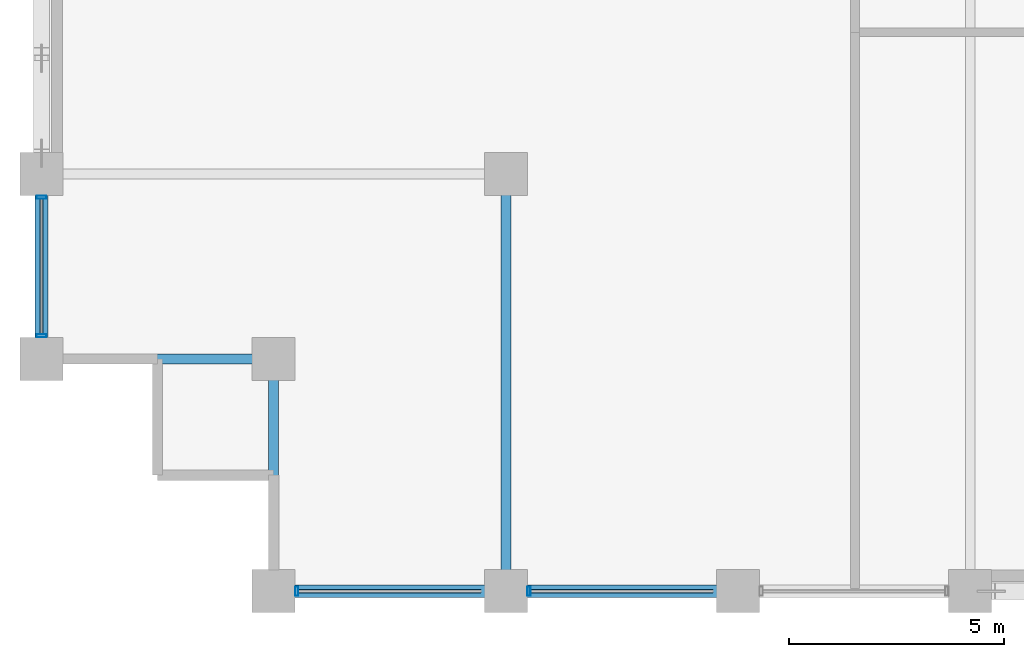
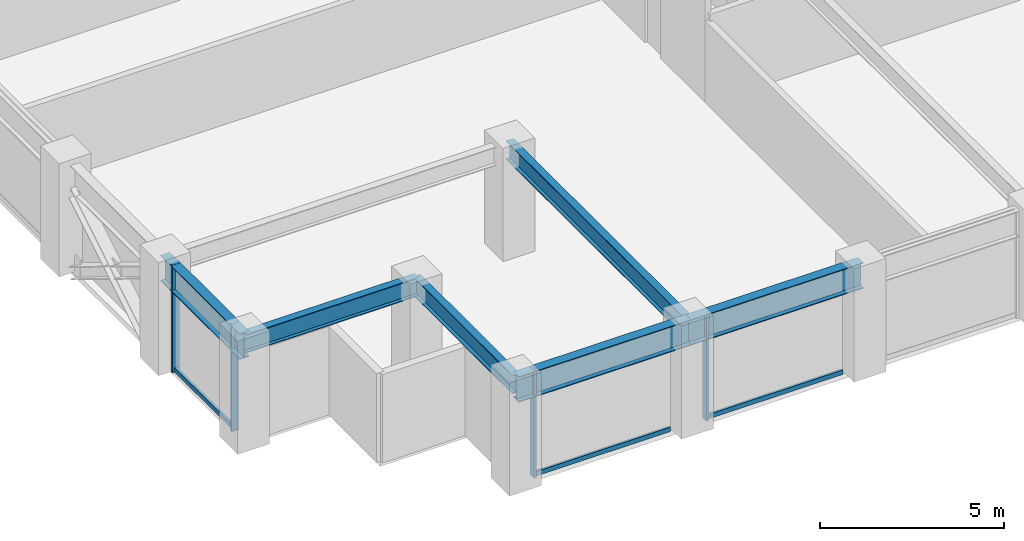
# One storey, part 2 of 23: 7 members, 6 beams, 2 elements without a shape of their own.
"""IFC4 building model written with IfcOpenShell, lengths in metres."""

import ifcopenshell
import ifcopenshell.guid

model = None  # the IFC model being written
_history = None  # IfcOwnerHistory: only IFC2X3 demands one
_inside = {}  # id of a spatial element -> (the spatial element, [elements in it])
_under = {}  # id of a project, library or spatial element -> (it, [spatial elements below it])
_declared = {}  # id of a project -> (the project, [libraries it declares])
_typed = {}  # id of a type object -> (the type object, [elements of that type])
_made_of = {}  # id of a material, layer set ... -> (it, [elements and type objects made of it])


def new_model(schema):
    """Start an empty IFC model of exactly this schema.

    Asked for "IFC4X3", IfcOpenShell would pick the latest addendum, in which some entities
    have other attributes; the version numbers below select the first issue.
    IFC2X3 requires an IfcOwnerHistory on every rooted entity: one is made here for all.
    """
    global model, _history
    if schema == "IFC4X3":
        model = ifcopenshell.file(schema_version=(4, 3, 0, 0))
    else:
        model = ifcopenshell.file(schema=schema)
    _inside.clear()
    _under.clear()
    _declared.clear()
    _typed.clear()
    _made_of.clear()
    _history = None
    if model.schema == "IFC2X3":
        org = make("IfcOrganization", Name="unknown")
        user = make(
            "IfcPersonAndOrganization",
            ThePerson=make("IfcPerson", FamilyName="unknown"),
            TheOrganization=org,
        )
        app = make(
            "IfcApplication",
            ApplicationDeveloper=org,
            Version="unknown",
            ApplicationFullName="unknown",
            ApplicationIdentifier="unknown",
        )
        _history = make(
            "IfcOwnerHistory",
            OwningUser=user,
            OwningApplication=app,
            ChangeAction="ADDED",
            CreationDate=0,
        )
    return model


def make(cls, **values):
    """One entity of the class cls with the attributes given. An attribute that is None is left unset."""
    return model.create_entity(
        cls, **{name: value for name, value in values.items() if value is not None}
    )


def rooted(cls, **values):
    """An entity with a GlobalId (a new one), such as an element, a storey or a relation."""
    return make(cls, GlobalId=ifcopenshell.guid.new(), OwnerHistory=_history, **values)


def si_unit(unit_type, name, prefix=None):
    """IfcSIUnit, for example si_unit("LENGTHUNIT", "METRE", prefix="MILLI")."""
    return make("IfcSIUnit", UnitType=unit_type, Prefix=prefix, Name=name)


def assignment(units):
    """IfcUnitAssignment: the units of a project."""
    return None if units is None else make("IfcUnitAssignment", Units=units)


def point(xyz):
    """IfcCartesianPoint."""
    return None if xyz is None else make("IfcCartesianPoint", Coordinates=xyz)


def direction(xyz):
    """IfcDirection."""
    return None if xyz is None else make("IfcDirection", DirectionRatios=xyz)


def frame(location, z_axis=None, x_axis=None):
    """IfcAxis2Placement3D, a coordinate frame: its origin and axes. An axis left out is left unset."""
    return make(
        "IfcAxis2Placement3D",
        Location=point(location),
        Axis=direction(z_axis),
        RefDirection=direction(x_axis),
    )


def frame_2d(location, x_axis=None):
    """IfcAxis2Placement2D, a coordinate frame in the plane: its origin and x axis."""
    return make(
        "IfcAxis2Placement2D", Location=point(location), RefDirection=direction(x_axis)
    )


def origin():
    """The frame at (0, 0, 0) with its axes left unset."""
    return frame((0.0, 0.0, 0.0))


def origin_2d():
    """The frame at (0, 0) in the plane with its x axis left unset."""
    return frame_2d((0.0, 0.0))


def place(relative_to, where):
    """IfcLocalPlacement: puts the frame where relative to a parent placement (None: the world)."""
    return make(
        "IfcLocalPlacement", PlacementRelTo=relative_to, RelativePlacement=where
    )


def context(
    kind, dimensions, precision=None, world=None, true_north=None, identifier=None
):
    """IfcGeometricRepresentationContext, for example the 3D "Model" context."""
    return make(
        "IfcGeometricRepresentationContext",
        ContextIdentifier=identifier,
        ContextType=kind,
        CoordinateSpaceDimension=dimensions,
        Precision=precision,
        WorldCoordinateSystem=world,
        TrueNorth=true_north,
    )


def subcontext(parent, identifier, kind, view, scale=None):
    """IfcGeometricRepresentationSubContext, for example "Body" below "Model"."""
    return make(
        "IfcGeometricRepresentationSubContext",
        ContextIdentifier=identifier,
        ContextType=kind,
        ParentContext=parent,
        TargetScale=scale,
        TargetView=view,
    )


def project(units=None, contexts=None):
    """IfcProject with its units and contexts."""
    return rooted(
        "IfcProject",
        Name="project",
        RepresentationContexts=contexts,
        UnitsInContext=assignment(units),
    )


def spatial(cls, under=None, at=None, **own):
    """A site, building, storey or space (cls), placed at a placement, below another one or the project."""
    s = rooted(cls, ObjectPlacement=at, **own)
    if under is not None:
        _under.setdefault(under.id(), (under, []))[1].append(s)
    return s


def profile(cls, at=None, kind="AREA", **sizes):
    """A parametric profile (cls). Its sizes go by their IFC names, for example OverallWidth=200.0."""
    return make(cls, ProfileType=kind, Position=at, **sizes)


def hollow_rectangle(**sizes):
    """IfcRectangleHollowProfileDef."""
    return profile("IfcRectangleHollowProfileDef", **sizes)


def i_section(**sizes):
    """IfcIShapeProfileDef."""
    return profile("IfcIShapeProfileDef", **sizes)


def extrude(swept, where, along, depth):
    """IfcExtrudedAreaSolid: the profile swept, set in the frame where, extruded along a direction by depth."""
    return make(
        "IfcExtrudedAreaSolid",
        SweptArea=swept,
        Position=where,
        ExtrudedDirection=direction(along),
        Depth=depth,
    )


def shape(context_of_items, identifier, shape_type, items):
    """IfcShapeRepresentation: the items that make up one representation, for example the "Body"."""
    return make(
        "IfcShapeRepresentation",
        ContextOfItems=context_of_items,
        RepresentationIdentifier=identifier,
        RepresentationType=shape_type,
        Items=items,
    )


def material(Name=None, Category=None):
    """IfcMaterial."""
    return make("IfcMaterial", Name=Name, Category=Category)


def layer(
    of_material, thickness, ventilated=None, Name=None, Category=None, Priority=None
):
    """IfcMaterialLayer: one layer of a wall or slab, of a material (None: an air gap)."""
    return make(
        "IfcMaterialLayer",
        Material=of_material,
        LayerThickness=thickness,
        IsVentilated=ventilated,
        Name=Name,
        Category=Category,
        Priority=Priority,
    )


def layer_set(layers, Name=None):
    """IfcMaterialLayerSet."""
    return make("IfcMaterialLayerSet", MaterialLayers=layers, LayerSetName=Name)


def material_profile(
    of_material, cross_section, Name=None, Category=None, Priority=None
):
    """IfcMaterialProfile: a cross section and its material."""
    return make(
        "IfcMaterialProfile",
        Name=Name,
        Material=of_material,
        Profile=cross_section,
        Priority=Priority,
        Category=Category,
    )


def profile_set(profiles, Name=None, composite=None):
    """IfcMaterialProfileSet."""
    return make(
        "IfcMaterialProfileSet",
        Name=Name,
        MaterialProfiles=profiles,
        CompositeProfile=composite,
    )


def made_of(thing, what):
    """Note that an element or type object is made of a material, layer set ...; save() writes the relation."""
    if what is not None:
        _made_of.setdefault(what.id(), (what, []))[1].append(thing)
    return thing


def type_object(cls, material=None, **own):
    """A type object (cls), such as IfcWallType, which elements share."""
    return made_of(rooted(cls, **own), material)


def element(
    cls,
    number,
    at=None,
    inside=None,
    cuts=None,
    type_object=None,
    material=None,
    context=None,
    identifier="Body",
    shape_type=None,
    held_by="IfcProductDefinitionShape",
    body=None,
    shapes=None,
    **own,
):
    """One element of the class cls, such as IfcWall. Its Tag is "e" and its number.

    at: its placement. inside: the storey or other place that contains it. cuts: it is an
    opening in that element (IfcRelVoidsElement). A single representation is given by context,
    identifier, shape_type and body (its items); several are given by shapes. held_by: the class
    of the entity that holds the representations. save() writes the other relations.
    """
    e = rooted(cls, Tag="e%d" % number, ObjectPlacement=at, **own)
    if body is not None:
        shapes = [shape(context, identifier, shape_type, body)]
    if shapes is not None:
        e.Representation = make(held_by, Representations=shapes)
    if inside is not None:
        _inside.setdefault(inside.id(), (inside, []))[1].append(e)
    if cuts is not None:
        rooted(
            "IfcRelVoidsElement", RelatingBuildingElement=cuts, RelatedOpeningElement=e
        )
    if type_object is not None:
        _typed.setdefault(type_object.id(), (type_object, []))[1].append(e)
    return made_of(e, material)


def aggregate(whole, parts):
    """IfcRelAggregates: a whole, such as a stair, and the parts it consists of."""
    return rooted("IfcRelAggregates", RelatingObject=whole, RelatedObjects=parts)


def save(model, path):
    """Write the relations noted so far, then the file.

    IfcRelAggregates (storeys below a building ...), IfcRelContainedInSpatialStructure (elements
    in a storey), IfcRelDefinesByType, IfcRelAssociatesMaterial and IfcRelDeclares: one each for
    every whole, place, type object, material and project.
    """
    for whole, parts in _under.values():
        aggregate(whole, parts)
    for where, things in _inside.values():
        rooted(
            "IfcRelContainedInSpatialStructure",
            RelatedElements=things,
            RelatingStructure=where,
        )
    for kind, things in _typed.values():
        rooted("IfcRelDefinesByType", RelatedObjects=things, RelatingType=kind)
    for what, things in _made_of.values():
        rooted("IfcRelAssociatesMaterial", RelatedObjects=things, RelatingMaterial=what)
    for by, libraries in _declared.values():
        rooted("IfcRelDeclares", RelatingContext=by, RelatedDefinitions=libraries)
    model.write(path)


model = new_model("IFC4")

# Units and contexts
model_context = context("Model", 3, precision=1e-05, world=origin(), true_north=direction((0.0, 1.0)))
body_context = subcontext(model_context, "Body", "Model", "MODEL_VIEW")
ifc_project = project(units=[si_unit("LENGTHUNIT", "METRE"), si_unit("AREAUNIT", "SQUARE_METRE"), si_unit("VOLUMEUNIT", "CUBIC_METRE"), si_unit("PLANEANGLEUNIT", "RADIAN"), si_unit("MASSUNIT", "GRAM", prefix="KILO")], contexts=[model_context])

# Site, building, storey
site_placement = place(None, origin())
site = spatial("IfcSite", under=ifc_project, at=site_placement, CompositionType="ELEMENT")
building_placement = place(site_placement, origin())
building = spatial("IfcBuilding", under=site, at=building_placement, Name="Surkhivell Harbour Commons", CompositionType="ELEMENT")
storey_placement = place(building_placement, frame((0.0, 0.0, 132.0)))
storey = spatial("IfcBuildingStorey", under=building, at=storey_placement, Name="L34", CompositionType="ELEMENT", Elevation=132.0)

# Beams
ifc_material_1 = material(Name="Steel S355", Category="steel")
ifc_material_profile_1 = material_profile(ifc_material_1, i_section(OverallWidth=0.22998046875, OverallDepth=0.616943359375, WebThickness=0.01318359375, FlangeThickness=0.022216796875, at=origin_2d()), Name="UB610x229x140")
ifc_profile_set_1 = profile_set([ifc_material_profile_1], Name="Steel S355")
beam_type_1 = type_object("IfcBeamType", Name="BM-GRD-610B", PredefinedType="BEAM", material=ifc_profile_set_1)
for number, where, z_axis, x_axis, name in (
    (1, (-32.39990234375, -20.5, 3.261474609375), (1.0, 0.0, 0.0), (0.0, 1.0, 0.0), "L34 Floor Girder (-32.4,-20.5)"),
    (2, (-27.0, -25.89990234375, 3.261474609375), (0.0, 1.0, 0.0), (-1.0, 0.0, 0.0), "L34 Floor Girder (-27.0,-25.9)"),
):
    element("IfcBeam", number, at=place(storey_placement, frame(where, z_axis=z_axis, x_axis=x_axis)), inside=storey, type_object=beam_type_1, Name=name, PredefinedType="BEAM", context=body_context, shape_type="SweptSolid", body=[
        extrude(i_section(OverallWidth=0.22998046875, OverallDepth=0.616943359375, WebThickness=0.01318359375, FlangeThickness=0.022216796875, at=origin_2d()), origin(), (0.0, 0.0, 1.0), 5.39990234375),
    ])
beam_1_placement = place(storey_placement, frame((-21.60009765625, -25.89990234375, 3.261474609375), z_axis=(0.0, 1.0, 0.0), x_axis=(-1.0, 0.0, 0.0)))
element("IfcBeam", 3, at=beam_1_placement, inside=storey, type_object=beam_type_1, Name="L34 Floor Girder (-21.6,-25.9)", PredefinedType="BEAM", context=body_context, shape_type="SweptSolid", body=[
    extrude(i_section(OverallWidth=0.22998046875, OverallDepth=0.616943359375, WebThickness=0.01318359375, FlangeThickness=0.022216796875, at=origin_2d()), origin(), (0.0, 0.0, 1.0), 9.699951171875),
])
ifc_material_2 = material(Name="Steel S460", Category="steel")
ifc_material_profile_2 = material_profile(ifc_material_2, i_section(OverallWidth=0.2939453125, OverallDepth=0.85107421875, WebThickness=0.01611328125, FlangeThickness=0.02685546875, at=origin_2d()), Name="UB838x292x226")
ifc_profile_set_2 = profile_set([ifc_material_profile_2], Name="Steel S460")
beam_type_2 = type_object("IfcBeamType", Name="BM-SPN-838", PredefinedType="SPANDREL", material=ifc_profile_set_2)
beam_2_placement = place(storey_placement, frame((-32.39990234375, -20.5, 3.14453125), z_axis=(0.0, 1.0, 0.0), x_axis=(-1.0, 0.0, 0.0)))
element("IfcBeam", 4, at=beam_2_placement, inside=storey, type_object=beam_type_2, Name="L34 Tube Spandrel (-32.4,-20.5)", PredefinedType="SPANDREL", context=body_context, shape_type="SweptSolid", body=[
    extrude(i_section(OverallWidth=0.2939453125, OverallDepth=0.85107421875, WebThickness=0.01611328125, FlangeThickness=0.02685546875, at=origin_2d()), origin(), (0.0, 0.0, 1.0), 4.300048828125),
])
beam_3_placement = place(storey_placement, frame((-27.0, -25.89990234375, 3.14453125), z_axis=(1.0, 0.0, 0.0), x_axis=(0.0, 1.0, 0.0)))
element("IfcBeam", 5, at=beam_3_placement, inside=storey, type_object=beam_type_2, Name="L34 Tube Spandrel (-27.0,-25.9)", PredefinedType="SPANDREL", context=body_context, shape_type="SweptSolid", body=[
    extrude(i_section(OverallWidth=0.2939453125, OverallDepth=0.85107421875, WebThickness=0.01611328125, FlangeThickness=0.02685546875, at=origin_2d()), origin(), (0.0, 0.0, 1.0), 5.39990234375),
])
beam_4_placement = place(storey_placement, frame((-21.60009765625, -25.89990234375, 3.14453125), z_axis=(1.0, 0.0, 0.0), x_axis=(0.0, 1.0, 0.0)))
element("IfcBeam", 6, at=beam_4_placement, inside=storey, type_object=beam_type_2, Name="L34 Tube Spandrel (-21.6,-25.9)", PredefinedType="SPANDREL", context=body_context, shape_type="SweptSolid", body=[
    extrude(i_section(OverallWidth=0.2939453125, OverallDepth=0.85107421875, WebThickness=0.01611328125, FlangeThickness=0.02685546875, at=origin_2d()), origin(), (0.0, 0.0, 1.0), 5.400146484375),
])

# Curtain wall, members
ifc_material_3 = material(Name="Anodised pale-metal aluminium and insulated glazing", Category="aluminium")
ifc_layer = layer(ifc_material_3, 0.205078125)
ifc_layer_set = layer_set([ifc_layer], Name="Anodised pale-metal aluminium and insulated glazing")
curtain_wall_type = type_object("IfcCurtainWallType", Name="CW-SYS-Z2", PredefinedType="NOTDEFINED", material=ifc_layer_set)
curtain_wall_1_placement = place(storey_placement, origin())
curtain_wall_1 = element("IfcCurtainWall", 7, at=curtain_wall_1_placement, inside=storey, type_object=curtain_wall_type, Name="L34 Curtain Wall CW-L34-E00S1", PredefinedType="NOTDEFINED")
ifc_material_4 = material(Name="Anodised pale-metal aluminium alloy 6063-T6", Category="aluminium")
ifc_material_profile_3 = material_profile(ifc_material_4, hollow_rectangle(XDim=0.074951171875, YDim=0.219970703125, WallThickness=0.00390625, at=origin_2d()), Name="ALU-MULL-75x220")
ifc_profile_set_3 = profile_set([ifc_material_profile_3], Name="Anodised pale-metal aluminium alloy 6063-T6")
member_type_1 = type_object("IfcMemberType", Name="CWM-220", PredefinedType="MULLION", material=ifc_profile_set_3)
member_1_placement = place(storey_placement, frame((-26.46044921875, -25.89990234375, 0.0), z_axis=(0.0, 0.0, 1.0), x_axis=(1.0, 0.0, 0.0)))
member_1 = element("IfcMember", 8, at=member_1_placement, type_object=member_type_1, Name="CW-Z2 mullion 1", PredefinedType="MULLION", context=body_context, shape_type="SweptSolid", body=[
    extrude(hollow_rectangle(XDim=0.074951171875, YDim=0.219970703125, WallThickness=0.00390625, at=origin_2d()), origin(), (0.0, 0.0, 1.0), 3.570068359375),
])
member_2_placement = place(storey_placement, frame((-21.060546875, -25.89990234375, 0.0), z_axis=(0.0, 0.0, 1.0), x_axis=(1.0, 0.0, 0.0)))
member_2 = element("IfcMember", 9, at=member_2_placement, type_object=member_type_1, Name="CW-Z2 mullion 2", PredefinedType="MULLION", context=body_context, shape_type="SweptSolid", body=[
    extrude(hollow_rectangle(XDim=0.074951171875, YDim=0.219970703125, WallThickness=0.00390625, at=origin_2d()), origin(), (0.0, 0.0, 1.0), 3.570068359375),
])

curtain_wall_2_placement = place(storey_placement, origin())
curtain_wall_2 = element("IfcCurtainWall", 10, at=curtain_wall_2_placement, inside=storey, type_object=curtain_wall_type, Name="L34 Curtain Wall CW-L34-E12S2", PredefinedType="NOTDEFINED")
member_3_placement = place(storey_placement, frame((-32.39990234375, -16.739501953125, 0.0), z_axis=(0.0, 0.0, 1.0), x_axis=(0.0, -1.0, 0.0)))
member_3 = element("IfcMember", 11, at=member_3_placement, type_object=member_type_1, Name="CW-Z2 mullion 1", PredefinedType="MULLION", context=body_context, shape_type="SweptSolid", body=[
    extrude(hollow_rectangle(XDim=0.074951171875, YDim=0.219970703125, WallThickness=0.00390625, at=origin_2d()), origin(), (0.0, 0.0, 1.0), 3.570068359375),
])
member_4_placement = place(storey_placement, frame((-32.39990234375, -19.96044921875, 0.0), z_axis=(0.0, 0.0, 1.0), x_axis=(0.0, -1.0, 0.0)))
member_4 = element("IfcMember", 12, at=member_4_placement, type_object=member_type_1, Name="CW-Z2 mullion 2", PredefinedType="MULLION", context=body_context, shape_type="SweptSolid", body=[
    extrude(hollow_rectangle(XDim=0.074951171875, YDim=0.219970703125, WallThickness=0.00390625, at=origin_2d()), origin(), (0.0, 0.0, 1.0), 3.570068359375),
])

# Member
ifc_material_profile_4 = material_profile(ifc_material_4, hollow_rectangle(XDim=0.074951171875, YDim=0.14990234375, WallThickness=0.00341796875, at=origin_2d()), Name="ALU-TRAN-75x150")
ifc_profile_set_4 = profile_set([ifc_material_profile_4], Name="Anodised pale-metal aluminium alloy 6063-T6")
member_type_2 = type_object("IfcMemberType", Name="CWT-150", PredefinedType="USERDEFINED", material=ifc_profile_set_4)
member_5_placement = place(storey_placement, frame((-26.423095703125, -25.89990234375, 0.074951171875), z_axis=(1.0, 0.0, 0.0), x_axis=(0.0, 1.0, 0.0)))
member_5 = element("IfcMember", 13, at=member_5_placement, type_object=member_type_2, Name="CW-Z2 transom 1.1", ObjectType="TRANSOM", PredefinedType="USERDEFINED", context=body_context, shape_type="SweptSolid", body=[
    extrude(hollow_rectangle(XDim=0.074951171875, YDim=0.14990234375, WallThickness=0.00341796875, at=origin_2d()), origin(), (0.0, 0.0, 1.0), 4.24609375),
])

member_6_placement = place(storey_placement, frame((-21.02294921875, -25.89990234375, 0.074951171875), z_axis=(1.0, 0.0, 0.0), x_axis=(0.0, 1.0, 0.0)))
member_6 = element("IfcMember", 14, at=member_6_placement, type_object=member_type_2, Name="CW-Z2 transom 2.1", ObjectType="TRANSOM", PredefinedType="USERDEFINED", context=body_context, shape_type="SweptSolid", body=[
    extrude(hollow_rectangle(XDim=0.074951171875, YDim=0.14990234375, WallThickness=0.00341796875, at=origin_2d()), origin(), (0.0, 0.0, 1.0), 4.245849609375),
])

aggregate(curtain_wall_1, [member_1, member_5, member_2, member_6])

member_7_placement = place(storey_placement, frame((-32.39990234375, -16.777099609375, 0.074951171875), z_axis=(0.0, -1.0, 0.0), x_axis=(1.0, 0.0, 0.0)))
member_7 = element("IfcMember", 15, at=member_7_placement, type_object=member_type_2, Name="CW-Z2 transom 1.1", ObjectType="TRANSOM", PredefinedType="USERDEFINED", context=body_context, shape_type="SweptSolid", body=[
    extrude(hollow_rectangle(XDim=0.074951171875, YDim=0.14990234375, WallThickness=0.00341796875, at=origin_2d()), origin(), (0.0, 0.0, 1.0), 3.14599609375),
])

aggregate(curtain_wall_2, [member_3, member_4, member_7])

save(model, "model.ifc")
